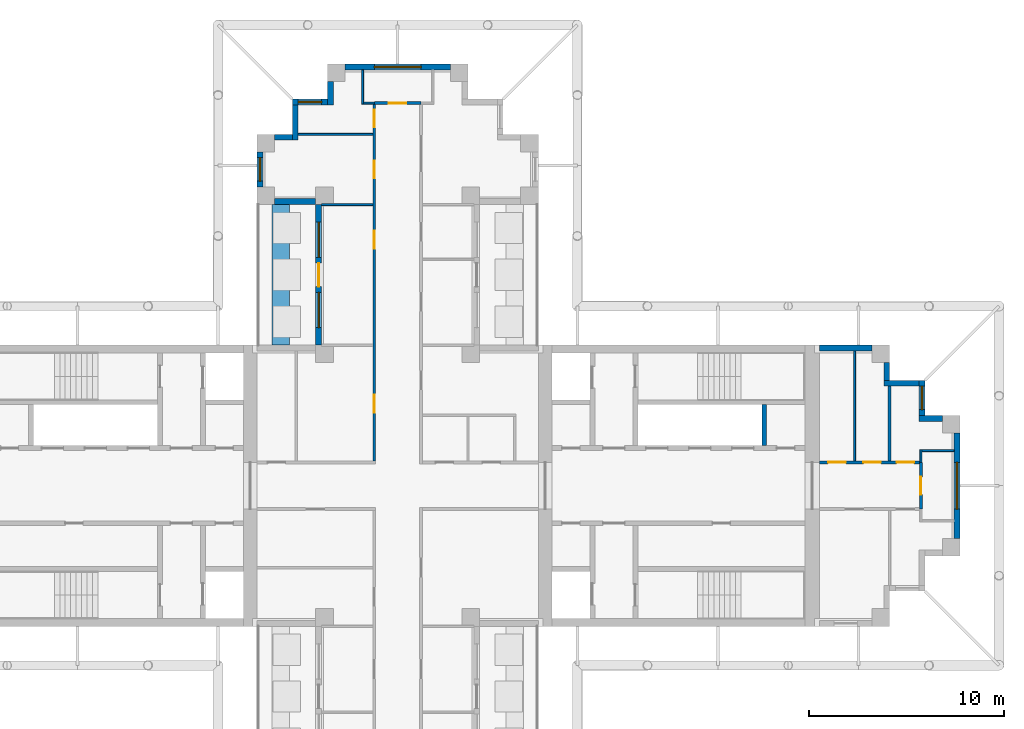
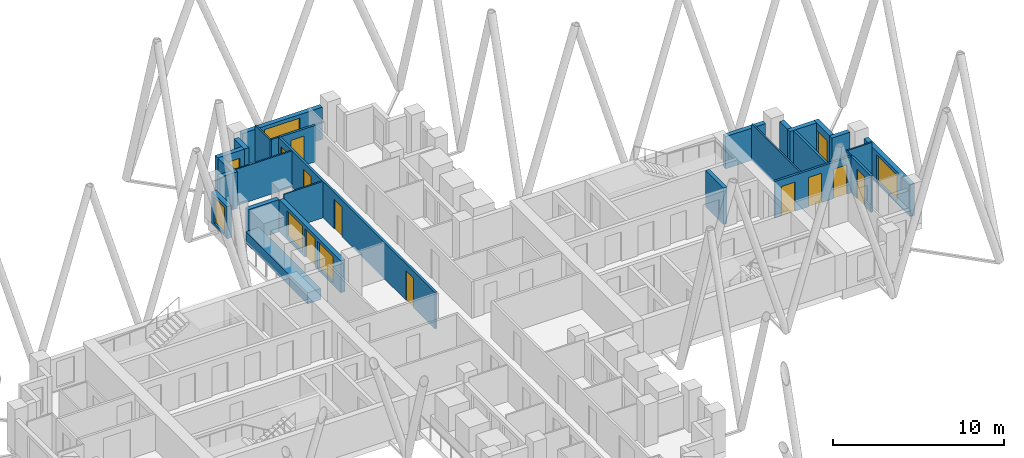
# One storey, part 7 of 11: 28 walls, 10 doors, 7 windows, 17 openings.
"""IFC4 building model written with IfcOpenShell, lengths in metres."""

import ifcopenshell
import ifcopenshell.guid

model = None  # the IFC model being written
_history = None  # IfcOwnerHistory: only IFC2X3 demands one
_inside = {}  # id of a spatial element -> (the spatial element, [elements in it])
_under = {}  # id of a project, library or spatial element -> (it, [spatial elements below it])
_declared = {}  # id of a project -> (the project, [libraries it declares])
_typed = {}  # id of a type object -> (the type object, [elements of that type])
_made_of = {}  # id of a material, layer set ... -> (it, [elements and type objects made of it])


def new_model(schema):
    """Start an empty IFC model of exactly this schema.

    Asked for "IFC4X3", IfcOpenShell would pick the latest addendum, in which some entities
    have other attributes; the version numbers below select the first issue.
    IFC2X3 requires an IfcOwnerHistory on every rooted entity: one is made here for all.
    """
    global model, _history
    if schema == "IFC4X3":
        model = ifcopenshell.file(schema_version=(4, 3, 0, 0))
    else:
        model = ifcopenshell.file(schema=schema)
    _inside.clear()
    _under.clear()
    _declared.clear()
    _typed.clear()
    _made_of.clear()
    _history = None
    if model.schema == "IFC2X3":
        org = make("IfcOrganization", Name="unknown")
        user = make(
            "IfcPersonAndOrganization",
            ThePerson=make("IfcPerson", FamilyName="unknown"),
            TheOrganization=org,
        )
        app = make(
            "IfcApplication",
            ApplicationDeveloper=org,
            Version="unknown",
            ApplicationFullName="unknown",
            ApplicationIdentifier="unknown",
        )
        _history = make(
            "IfcOwnerHistory",
            OwningUser=user,
            OwningApplication=app,
            ChangeAction="ADDED",
            CreationDate=0,
        )
    return model


def make(cls, **values):
    """One entity of the class cls with the attributes given. An attribute that is None is left unset."""
    return model.create_entity(
        cls, **{name: value for name, value in values.items() if value is not None}
    )


def rooted(cls, **values):
    """An entity with a GlobalId (a new one), such as an element, a storey or a relation."""
    return make(cls, GlobalId=ifcopenshell.guid.new(), OwnerHistory=_history, **values)


def si_unit(unit_type, name, prefix=None):
    """IfcSIUnit, for example si_unit("LENGTHUNIT", "METRE", prefix="MILLI")."""
    return make("IfcSIUnit", UnitType=unit_type, Prefix=prefix, Name=name)


def assignment(units):
    """IfcUnitAssignment: the units of a project."""
    return None if units is None else make("IfcUnitAssignment", Units=units)


def point(xyz):
    """IfcCartesianPoint."""
    return None if xyz is None else make("IfcCartesianPoint", Coordinates=xyz)


def direction(xyz):
    """IfcDirection."""
    return None if xyz is None else make("IfcDirection", DirectionRatios=xyz)


def frame(location, z_axis=None, x_axis=None):
    """IfcAxis2Placement3D, a coordinate frame: its origin and axes. An axis left out is left unset."""
    return make(
        "IfcAxis2Placement3D",
        Location=point(location),
        Axis=direction(z_axis),
        RefDirection=direction(x_axis),
    )


def frame_2d(location, x_axis=None):
    """IfcAxis2Placement2D, a coordinate frame in the plane: its origin and x axis."""
    return make(
        "IfcAxis2Placement2D", Location=point(location), RefDirection=direction(x_axis)
    )


def origin():
    """The frame at (0, 0, 0) with its axes left unset."""
    return frame((0.0, 0.0, 0.0))


def place(relative_to, where):
    """IfcLocalPlacement: puts the frame where relative to a parent placement (None: the world)."""
    return make(
        "IfcLocalPlacement", PlacementRelTo=relative_to, RelativePlacement=where
    )


def context(
    kind, dimensions, precision=None, world=None, true_north=None, identifier=None
):
    """IfcGeometricRepresentationContext, for example the 3D "Model" context."""
    return make(
        "IfcGeometricRepresentationContext",
        ContextIdentifier=identifier,
        ContextType=kind,
        CoordinateSpaceDimension=dimensions,
        Precision=precision,
        WorldCoordinateSystem=world,
        TrueNorth=true_north,
    )


def subcontext(parent, identifier, kind, view, scale=None):
    """IfcGeometricRepresentationSubContext, for example "Body" below "Model"."""
    return make(
        "IfcGeometricRepresentationSubContext",
        ContextIdentifier=identifier,
        ContextType=kind,
        ParentContext=parent,
        TargetScale=scale,
        TargetView=view,
    )


def project(units=None, contexts=None):
    """IfcProject with its units and contexts."""
    return rooted(
        "IfcProject",
        Name="project",
        RepresentationContexts=contexts,
        UnitsInContext=assignment(units),
    )


def spatial(cls, under=None, at=None, **own):
    """A site, building, storey or space (cls), placed at a placement, below another one or the project."""
    s = rooted(cls, ObjectPlacement=at, **own)
    if under is not None:
        _under.setdefault(under.id(), (under, []))[1].append(s)
    return s


def profile(cls, at=None, kind="AREA", **sizes):
    """A parametric profile (cls). Its sizes go by their IFC names, for example OverallWidth=200.0."""
    return make(cls, ProfileType=kind, Position=at, **sizes)


def rectangle(**sizes):
    """IfcRectangleProfileDef."""
    return profile("IfcRectangleProfileDef", **sizes)


def extrude(swept, where, along, depth):
    """IfcExtrudedAreaSolid: the profile swept, set in the frame where, extruded along a direction by depth."""
    return make(
        "IfcExtrudedAreaSolid",
        SweptArea=swept,
        Position=where,
        ExtrudedDirection=direction(along),
        Depth=depth,
    )


def shape(context_of_items, identifier, shape_type, items):
    """IfcShapeRepresentation: the items that make up one representation, for example the "Body"."""
    return make(
        "IfcShapeRepresentation",
        ContextOfItems=context_of_items,
        RepresentationIdentifier=identifier,
        RepresentationType=shape_type,
        Items=items,
    )


def material(Name=None, Category=None):
    """IfcMaterial."""
    return make("IfcMaterial", Name=Name, Category=Category)


def layer(
    of_material, thickness, ventilated=None, Name=None, Category=None, Priority=None
):
    """IfcMaterialLayer: one layer of a wall or slab, of a material (None: an air gap)."""
    return make(
        "IfcMaterialLayer",
        Material=of_material,
        LayerThickness=thickness,
        IsVentilated=ventilated,
        Name=Name,
        Category=Category,
        Priority=Priority,
    )


def layer_set(layers, Name=None):
    """IfcMaterialLayerSet."""
    return make("IfcMaterialLayerSet", MaterialLayers=layers, LayerSetName=Name)


def made_of(thing, what):
    """Note that an element or type object is made of a material, layer set ...; save() writes the relation."""
    if what is not None:
        _made_of.setdefault(what.id(), (what, []))[1].append(thing)
    return thing


def type_object(cls, material=None, **own):
    """A type object (cls), such as IfcWallType, which elements share."""
    return made_of(rooted(cls, **own), material)


def element(
    cls,
    number,
    at=None,
    inside=None,
    cuts=None,
    type_object=None,
    material=None,
    context=None,
    identifier="Body",
    shape_type=None,
    held_by="IfcProductDefinitionShape",
    body=None,
    shapes=None,
    **own,
):
    """One element of the class cls, such as IfcWall. Its Tag is "e" and its number.

    at: its placement. inside: the storey or other place that contains it. cuts: it is an
    opening in that element (IfcRelVoidsElement). A single representation is given by context,
    identifier, shape_type and body (its items); several are given by shapes. held_by: the class
    of the entity that holds the representations. save() writes the other relations.
    """
    e = rooted(cls, Tag="e%d" % number, ObjectPlacement=at, **own)
    if body is not None:
        shapes = [shape(context, identifier, shape_type, body)]
    if shapes is not None:
        e.Representation = make(held_by, Representations=shapes)
    if inside is not None:
        _inside.setdefault(inside.id(), (inside, []))[1].append(e)
    if cuts is not None:
        rooted(
            "IfcRelVoidsElement", RelatingBuildingElement=cuts, RelatedOpeningElement=e
        )
    if type_object is not None:
        _typed.setdefault(type_object.id(), (type_object, []))[1].append(e)
    return made_of(e, material)


def fill(opening, filler):
    """IfcRelFillsElement: the door or window that sits in an opening."""
    return rooted(
        "IfcRelFillsElement",
        RelatingOpeningElement=opening,
        RelatedBuildingElement=filler,
    )


def aggregate(whole, parts):
    """IfcRelAggregates: a whole, such as a stair, and the parts it consists of."""
    return rooted("IfcRelAggregates", RelatingObject=whole, RelatedObjects=parts)


def save(model, path):
    """Write the relations noted so far, then the file.

    IfcRelAggregates (storeys below a building ...), IfcRelContainedInSpatialStructure (elements
    in a storey), IfcRelDefinesByType, IfcRelAssociatesMaterial and IfcRelDeclares: one each for
    every whole, place, type object, material and project.
    """
    for whole, parts in _under.values():
        aggregate(whole, parts)
    for where, things in _inside.values():
        rooted(
            "IfcRelContainedInSpatialStructure",
            RelatedElements=things,
            RelatingStructure=where,
        )
    for kind, things in _typed.values():
        rooted("IfcRelDefinesByType", RelatedObjects=things, RelatingType=kind)
    for what, things in _made_of.values():
        rooted("IfcRelAssociatesMaterial", RelatedObjects=things, RelatingMaterial=what)
    for by, libraries in _declared.values():
        rooted("IfcRelDeclares", RelatingContext=by, RelatedDefinitions=libraries)
    model.write(path)


model = new_model("IFC4")

# Units and contexts
model_context = context("Model", 3, precision=1e-05, world=origin(), true_north=direction((0.0, 1.0)))
body_context = subcontext(model_context, "Body", "Model", "MODEL_VIEW")
ifc_project = project(units=[si_unit("LENGTHUNIT", "METRE"), si_unit("AREAUNIT", "SQUARE_METRE"), si_unit("VOLUMEUNIT", "CUBIC_METRE"), si_unit("PLANEANGLEUNIT", "RADIAN"), si_unit("MASSUNIT", "GRAM", prefix="KILO")], contexts=[model_context])

# Site, building, storey
site_placement = place(None, origin())
site = spatial("IfcSite", under=ifc_project, at=site_placement, CompositionType="ELEMENT")
building_placement = place(site_placement, origin())
building = spatial("IfcBuilding", under=site, at=building_placement, Name="Fustian Cross Tower", CompositionType="ELEMENT")
storey_placement = place(building_placement, frame((0.0, 0.0, 222.89990234375)))
storey = spatial("IfcBuildingStorey", under=building, at=storey_placement, Name="L70", CompositionType="ELEMENT", Elevation=222.89990234375)

# Wall, openings, doors
ifc_material_1 = material(Name="Plasterboard on steel stud", Category="steel")
ifc_layer_1 = layer(ifc_material_1, 0.14990234375)
ifc_layer_set_1 = layer_set([ifc_layer_1], Name="Plasterboard on steel stud")
wall_type_1 = type_object("IfcWallType", Name="COMPARTMENT WALL 150 EI 60", PredefinedType="PARTITIONING", material=ifc_layer_set_1)
wall_1_placement = place(storey_placement, frame((-1.199951171875, 1.27490234375, 0.0), z_axis=(0.0, 0.0, 1.0), x_axis=(0.0, 1.0, 0.0)))
wall_1 = element("IfcWall", 1, at=wall_1_placement, inside=storey, type_object=wall_type_1, Name="Partition 31", PredefinedType="PARTITIONING", context=body_context, shape_type="SweptSolid", body=[
    extrude(rectangle(XDim=18.25, YDim=0.14990234375, at=frame_2d((9.125, 0.0))), origin(), (0.0, 0.0, 1.0), 2.60009765625),
])
opening_1_placement = place(wall_1_placement, frame((2.47509765625, 0.0, 0.0)))
opening_1 = element("IfcOpeningElement", 2, at=opening_1_placement, cuts=wall_1, Name="Opening D31004", PredefinedType="OPENING", context=body_context, shape_type="SweptSolid", body=[
    extrude(rectangle(XDim=0.89990234375, YDim=2.10009765625, at=frame_2d((0.449951171875, 1.050048828125))), frame((0.0, 0.0849609375, 0.0), z_axis=(0.0, -1.0, 0.0), x_axis=(1.0, 0.0, 0.0)), (0.0, 0.0, 1.0), 0.169921875),
])
opening_2_placement = place(wall_1_placement, frame((10.875, 0.0, 0.0)))
opening_2 = element("IfcOpeningElement", 3, at=opening_2_placement, cuts=wall_1, Name="Opening D31016", PredefinedType="OPENING", context=body_context, shape_type="SweptSolid", body=[
    extrude(rectangle(XDim=0.89990234375, YDim=2.10009765625, at=frame_2d((0.449951171875, 1.050048828125))), frame((0.0, 0.0849609375, 0.0), z_axis=(0.0, -1.0, 0.0), x_axis=(1.0, 0.0, 0.0)), (0.0, 0.0, 1.0), 0.169921875),
])
opening_3_placement = place(wall_1_placement, frame((14.47509765625, 0.0, 0.0)))
opening_3 = element("IfcOpeningElement", 4, at=opening_3_placement, cuts=wall_1, Name="Opening D31017", PredefinedType="OPENING", context=body_context, shape_type="SweptSolid", body=[
    extrude(rectangle(XDim=0.89990234375, YDim=2.10009765625, at=frame_2d((0.449951171875, 1.050048828125))), frame((0.0, 0.0849609375, 0.0), z_axis=(0.0, -1.0, 0.0), x_axis=(1.0, 0.0, 0.0)), (0.0, 0.0, 1.0), 0.169921875),
])
opening_4_placement = place(wall_1_placement, frame((17.074951171875, 0.0, 0.0)))
opening_4 = element("IfcOpeningElement", 5, at=opening_4_placement, cuts=wall_1, Name="Opening D31018", PredefinedType="OPENING", context=body_context, shape_type="SweptSolid", body=[
    extrude(rectangle(XDim=0.89990234375, YDim=2.10009765625, at=frame_2d((0.449951171875, 1.050048828125))), frame((0.0, 0.0849609375, 0.0), z_axis=(0.0, -1.0, 0.0), x_axis=(1.0, 0.0, 0.0)), (0.0, 0.0, 1.0), 0.169921875),
])
ifc_material_2 = material(Name="Timber fire door set", Category="wood")
door_type_1 = type_object("IfcDoorType", Name="FIRE SWING DOOR 900 FD30S", OperationType="SINGLE_SWING_LEFT", PredefinedType="DOOR", material=ifc_material_2)
door_1_placement = place(opening_1_placement, origin())
door_1 = element("IfcDoor", 6, at=door_1_placement, inside=storey, type_object=door_type_1, Name="Door D31004", OperationType="SINGLE_SWING_LEFT", OverallHeight=2.10009765625, OverallWidth=0.89990234375, PredefinedType="DOOR", context=body_context, shape_type="SweptSolid", body=[
    extrude(rectangle(XDim=0.89990234375, YDim=2.10009765625, at=frame_2d((0.449951171875, 1.050048828125))), frame((0.0, 0.02490234375, 0.0), z_axis=(0.0, -1.0, 0.0), x_axis=(1.0, 0.0, 0.0)), (0.0, 0.0, 1.0), 0.050048828125),
])
fill(opening_1, door_1)
door_2_placement = place(opening_2_placement, origin())
door_2 = element("IfcDoor", 7, at=door_2_placement, inside=storey, type_object=door_type_1, Name="Door D31016", OperationType="SINGLE_SWING_RIGHT", OverallHeight=2.10009765625, OverallWidth=0.89990234375, PredefinedType="DOOR", context=body_context, shape_type="SweptSolid", body=[
    extrude(rectangle(XDim=0.89990234375, YDim=2.10009765625, at=frame_2d((0.449951171875, 1.050048828125))), frame((0.0, 0.02490234375, 0.0), z_axis=(0.0, -1.0, 0.0), x_axis=(1.0, 0.0, 0.0)), (0.0, 0.0, 1.0), 0.050048828125),
])
fill(opening_2, door_2)
door_3_placement = place(opening_3_placement, origin())
door_3 = element("IfcDoor", 8, at=door_3_placement, inside=storey, type_object=door_type_1, Name="Door D31017", OperationType="SINGLE_SWING_LEFT", OverallHeight=2.10009765625, OverallWidth=0.89990234375, PredefinedType="DOOR", context=body_context, shape_type="SweptSolid", body=[
    extrude(rectangle(XDim=0.89990234375, YDim=2.10009765625, at=frame_2d((0.449951171875, 1.050048828125))), frame((0.0, 0.02490234375, 0.0), z_axis=(0.0, -1.0, 0.0), x_axis=(1.0, 0.0, 0.0)), (0.0, 0.0, 1.0), 0.050048828125),
])
fill(opening_3, door_3)
door_4_placement = place(opening_4_placement, origin())
door_4 = element("IfcDoor", 9, at=door_4_placement, inside=storey, type_object=door_type_1, Name="Door D31018", OperationType="SINGLE_SWING_LEFT", OverallHeight=2.10009765625, OverallWidth=0.89990234375, PredefinedType="DOOR", context=body_context, shape_type="SweptSolid", body=[
    extrude(rectangle(XDim=0.89990234375, YDim=2.10009765625, at=frame_2d((0.449951171875, 1.050048828125))), frame((0.0, 0.02490234375, 0.0), z_axis=(0.0, -1.0, 0.0), x_axis=(1.0, 0.0, 0.0)), (0.0, 0.0, 1.0), 0.050048828125),
])
fill(opening_4, door_4)

# Wall, opening, door
wall_2_placement = place(storey_placement, frame((-1.199951171875, 19.60009765625, 0.0), z_axis=(0.0, 0.0, 1.0), x_axis=(1.0, 0.0, 0.0)))
wall_2 = element("IfcWall", 10, at=wall_2_placement, inside=storey, type_object=wall_type_1, Name="Partition 32", PredefinedType="PARTITIONING", context=body_context, shape_type="SweptSolid", body=[
    extrude(rectangle(XDim=2.39990234375, YDim=0.14990234375, at=frame_2d((1.199951171875, 0.0))), origin(), (0.0, 0.0, 1.0), 2.60009765625),
])
opening_5_placement = place(wall_2_placement, frame((0.75, 0.0, 0.0)))
opening_5 = element("IfcOpeningElement", 11, at=opening_5_placement, cuts=wall_2, Name="Opening D31015", PredefinedType="OPENING", context=body_context, shape_type="SweptSolid", body=[
    extrude(rectangle(XDim=0.89990234375, YDim=2.10009765625, at=frame_2d((0.449951171875, 1.050048828125))), frame((0.0, 0.0849609375, 0.0), z_axis=(0.0, -1.0, 0.0), x_axis=(1.0, 0.0, 0.0)), (0.0, 0.0, 1.0), 0.169921875),
])
door_5_placement = place(opening_5_placement, origin())
door_5 = element("IfcDoor", 12, at=door_5_placement, inside=storey, type_object=door_type_1, Name="Door D31015", OperationType="SINGLE_SWING_LEFT", OverallHeight=2.10009765625, OverallWidth=0.89990234375, PredefinedType="DOOR", context=body_context, shape_type="SweptSolid", body=[
    extrude(rectangle(XDim=0.89990234375, YDim=2.10009765625, at=frame_2d((0.449951171875, 1.050048828125))), frame((0.0, 0.02490234375, 0.0), z_axis=(0.0, -1.0, 0.0), x_axis=(1.0, 0.0, 0.0)), (0.0, 0.0, 1.0), 0.050048828125),
])
fill(opening_5, door_5)

# Wall, openings, doors
wall_3_placement = place(storey_placement, frame((21.60009765625, 1.199951171875, 0.0), z_axis=(0.0, 0.0, 1.0), x_axis=(1.0, 0.0, 0.0)))
wall_3 = element("IfcWall", 13, at=wall_3_placement, inside=storey, type_object=wall_type_1, Name="Partition 51", PredefinedType="PARTITIONING", context=body_context, shape_type="SweptSolid", body=[
    extrude(rectangle(XDim=5.125, YDim=0.14990234375, at=frame_2d((2.5625, 0.0))), origin(), (0.0, 0.0, 1.0), 2.60009765625),
])
opening_6_placement = place(wall_3_placement, frame((0.449951171875, 0.0, 0.0)))
opening_6 = element("IfcOpeningElement", 14, at=opening_6_placement, cuts=wall_3, Name="Opening D31010", PredefinedType="OPENING", context=body_context, shape_type="SweptSolid", body=[
    extrude(rectangle(XDim=0.89990234375, YDim=2.10009765625, at=frame_2d((0.449951171875, 1.050048828125))), frame((0.0, 0.0849609375, 0.0), z_axis=(0.0, -1.0, 0.0), x_axis=(1.0, 0.0, 0.0)), (0.0, 0.0, 1.0), 0.169921875),
])
opening_7_placement = place(wall_3_placement, frame((2.25, 0.0, 0.0)))
opening_7 = element("IfcOpeningElement", 15, at=opening_7_placement, cuts=wall_3, Name="Opening D31011", PredefinedType="OPENING", context=body_context, shape_type="SweptSolid", body=[
    extrude(rectangle(XDim=0.89990234375, YDim=2.10009765625, at=frame_2d((0.449951171875, 1.050048828125))), frame((0.0, 0.0849609375, 0.0), z_axis=(0.0, -1.0, 0.0), x_axis=(1.0, 0.0, 0.0)), (0.0, 0.0, 1.0), 0.169921875),
])
opening_8_placement = place(wall_3_placement, frame((3.949951171875, 0.0, 0.0)))
opening_8 = element("IfcOpeningElement", 16, at=opening_8_placement, cuts=wall_3, Name="Opening D31012", PredefinedType="OPENING", context=body_context, shape_type="SweptSolid", body=[
    extrude(rectangle(XDim=0.89990234375, YDim=2.10009765625, at=frame_2d((0.449951171875, 1.050048828125))), frame((0.0, 0.0849609375, 0.0), z_axis=(0.0, -1.0, 0.0), x_axis=(1.0, 0.0, 0.0)), (0.0, 0.0, 1.0), 0.169921875),
])
door_6_placement = place(opening_6_placement, origin())
door_6 = element("IfcDoor", 17, at=door_6_placement, inside=storey, type_object=door_type_1, Name="Door D31010", OperationType="SINGLE_SWING_RIGHT", OverallHeight=2.10009765625, OverallWidth=0.89990234375, PredefinedType="DOOR", context=body_context, shape_type="SweptSolid", body=[
    extrude(rectangle(XDim=0.89990234375, YDim=2.10009765625, at=frame_2d((0.449951171875, 1.050048828125))), frame((0.0, 0.02490234375, 0.0), z_axis=(0.0, -1.0, 0.0), x_axis=(1.0, 0.0, 0.0)), (0.0, 0.0, 1.0), 0.050048828125),
])
fill(opening_6, door_6)
door_7_placement = place(opening_7_placement, origin())
door_7 = element("IfcDoor", 18, at=door_7_placement, inside=storey, type_object=door_type_1, Name="Door D31011", OperationType="SINGLE_SWING_RIGHT", OverallHeight=2.10009765625, OverallWidth=0.89990234375, PredefinedType="DOOR", context=body_context, shape_type="SweptSolid", body=[
    extrude(rectangle(XDim=0.89990234375, YDim=2.10009765625, at=frame_2d((0.449951171875, 1.050048828125))), frame((0.0, 0.02490234375, 0.0), z_axis=(0.0, -1.0, 0.0), x_axis=(1.0, 0.0, 0.0)), (0.0, 0.0, 1.0), 0.050048828125),
])
fill(opening_7, door_7)
door_8_placement = place(opening_8_placement, origin())
door_8 = element("IfcDoor", 19, at=door_8_placement, inside=storey, type_object=door_type_1, Name="Door D31012", OperationType="SINGLE_SWING_LEFT", OverallHeight=2.10009765625, OverallWidth=0.89990234375, PredefinedType="DOOR", context=body_context, shape_type="SweptSolid", body=[
    extrude(rectangle(XDim=0.89990234375, YDim=2.10009765625, at=frame_2d((0.449951171875, 1.050048828125))), frame((0.0, 0.02490234375, 0.0), z_axis=(0.0, -1.0, 0.0), x_axis=(1.0, 0.0, 0.0)), (0.0, 0.0, 1.0), 0.050048828125),
])
fill(opening_8, door_8)

# Wall
wall_4_placement = place(storey_placement, frame((25.199951171875, 1.27490234375, 0.0), z_axis=(0.0, 0.0, 1.0), x_axis=(0.0, 1.0, 0.0)))
element("IfcWall", 20, at=wall_4_placement, inside=storey, type_object=wall_type_1, Name="Partition 54", PredefinedType="PARTITIONING", context=body_context, shape_type="SweptSolid", body=[
    extrude(rectangle(XDim=3.8251953125, YDim=0.14990234375, at=frame_2d((1.91259765625, 0.0))), origin(), (0.0, 0.0, 1.0), 2.60009765625),
])

# Wall, opening, door
wall_5_placement = place(storey_placement, frame((26.800048828125, -1.199951171875, 0.0), z_axis=(0.0, 0.0, 1.0), x_axis=(0.0, 1.0, 0.0)))
wall_5 = element("IfcWall", 21, at=wall_5_placement, inside=storey, type_object=wall_type_1, Name="Partition 57", PredefinedType="PARTITIONING", context=body_context, shape_type="SweptSolid", body=[
    extrude(rectangle(XDim=2.39990234375, YDim=0.14990234375, at=frame_2d((1.199951171875, 0.0))), origin(), (0.0, 0.0, 1.0), 2.60009765625),
])
opening_9_placement = place(wall_5_placement, frame((0.75, 0.0, 0.0)))
opening_9 = element("IfcOpeningElement", 22, at=opening_9_placement, cuts=wall_5, Name="Opening D31009", PredefinedType="OPENING", context=body_context, shape_type="SweptSolid", body=[
    extrude(rectangle(XDim=0.89990234375, YDim=2.10009765625, at=frame_2d((0.449951171875, 1.050048828125))), frame((0.0, 0.0849609375, 0.0), z_axis=(0.0, -1.0, 0.0), x_axis=(1.0, 0.0, 0.0)), (0.0, 0.0, 1.0), 0.169921875),
])
door_9_placement = place(opening_9_placement, frame((0.89990234375, 0.0, 0.0), z_axis=(0.0, 0.0, 1.0), x_axis=(-1.0, 0.0, 0.0)))
door_9 = element("IfcDoor", 23, at=door_9_placement, inside=storey, type_object=door_type_1, Name="Door D31009", OperationType="SINGLE_SWING_RIGHT", OverallHeight=2.10009765625, OverallWidth=0.89990234375, PredefinedType="DOOR", context=body_context, shape_type="SweptSolid", body=[
    extrude(rectangle(XDim=0.89990234375, YDim=2.10009765625, at=frame_2d((0.449951171875, 1.050048828125))), frame((0.0, 0.02490234375, 0.0), z_axis=(0.0, -1.0, 0.0), x_axis=(1.0, 0.0, 0.0)), (0.0, 0.0, 1.0), 0.050048828125),
])
fill(opening_9, door_9)

# Walls
ifc_material_3 = material(Name="Plasterboard on steel stud", Category="steel")
ifc_layer_2 = layer(ifc_material_3, 0.10009765625)
ifc_layer_set_2 = layer_set([ifc_layer_2], Name="Plasterboard on steel stud")
wall_type_2 = type_object("IfcWallType", Name="PARTITION 100 STUD", PredefinedType="PARTITIONING", material=ifc_layer_set_2)
wall_6_placement = place(storey_placement, frame((-5.10009765625, 18.0, 0.0), z_axis=(0.0, 0.0, 1.0), x_axis=(1.0, 0.0, 0.0)))
element("IfcWall", 24, at=wall_6_placement, inside=storey, type_object=wall_type_2, Name="Partition 16", PredefinedType="PARTITIONING", context=body_context, shape_type="SweptSolid", body=[
    extrude(rectangle(XDim=3.8251953125, YDim=0.10009765625, at=frame_2d((1.91259765625, 0.0))), origin(), (0.0, 0.0, 1.0), 2.60009765625),
])
wall_7_placement = place(storey_placement, frame((-3.89990234375, 14.39990234375, 0.0), z_axis=(0.0, 0.0, 1.0), x_axis=(1.0, 0.0, 0.0)))
element("IfcWall", 25, at=wall_7_placement, inside=storey, type_object=wall_type_2, Name="Partition 21", PredefinedType="PARTITIONING", context=body_context, shape_type="SweptSolid", body=[
    extrude(rectangle(XDim=2.625, YDim=0.10009765625, at=frame_2d((1.3125, 0.0))), origin(), (0.0, 0.0, 1.0), 2.60009765625),
])
wall_8_placement = place(storey_placement, frame((-1.800048828125, 19.550048828125, 0.0), z_axis=(0.0, 0.0, 1.0), x_axis=(0.0, 1.0, 0.0)))
element("IfcWall", 26, at=wall_8_placement, inside=storey, type_object=wall_type_2, Name="Partition 27", PredefinedType="PARTITIONING", context=body_context, shape_type="SweptSolid", body=[
    extrude(rectangle(XDim=1.75, YDim=0.10009765625, at=frame_2d((0.875, 0.0))), origin(), (0.0, 0.0, 1.0), 2.60009765625),
])
wall_9_placement = place(storey_placement, frame((-1.75, 19.60009765625, 0.0), z_axis=(0.0, 0.0, 1.0), x_axis=(1.0, 0.0, 0.0)))
element("IfcWall", 27, at=wall_9_placement, inside=storey, type_object=wall_type_2, Name="Partition 28", PredefinedType="PARTITIONING", context=body_context, shape_type="SweptSolid", body=[
    extrude(rectangle(XDim=0.550048828125, YDim=0.10009765625, at=frame_2d((0.27490234375, 0.0))), origin(), (0.0, 0.0, 1.0), 2.60009765625),
])
wall_10_placement = place(storey_placement, frame((23.39990234375, 1.27490234375, 0.0), z_axis=(0.0, 0.0, 1.0), x_axis=(0.0, 1.0, 0.0)))
element("IfcWall", 28, at=wall_10_placement, inside=storey, type_object=wall_type_2, Name="Partition 52", PredefinedType="PARTITIONING", context=body_context, shape_type="SweptSolid", body=[
    extrude(rectangle(XDim=5.625, YDim=0.10009765625, at=frame_2d((2.8125, 0.0))), origin(), (0.0, 0.0, 1.0), 2.60009765625),
])
wall_11_placement = place(storey_placement, frame((26.800048828125, 1.199951171875, 0.0), z_axis=(0.0, 0.0, 1.0), x_axis=(0.0, 1.0, 0.0)))
element("IfcWall", 29, at=wall_11_placement, inside=storey, type_object=wall_type_2, Name="Partition 58", PredefinedType="PARTITIONING", context=body_context, shape_type="SweptSolid", body=[
    extrude(rectangle(XDim=0.650146484375, YDim=0.10009765625, at=frame_2d((0.3251953125, 0.0))), origin(), (0.0, 0.0, 1.0), 2.60009765625),
])
wall_12_placement = place(storey_placement, frame((26.85009765625, 1.800048828125, 0.0), z_axis=(0.0, 0.0, 1.0), x_axis=(1.0, 0.0, 0.0)))
element("IfcWall", 30, at=wall_12_placement, inside=storey, type_object=wall_type_2, Name="Partition 59", PredefinedType="PARTITIONING", context=body_context, shape_type="SweptSolid", body=[
    extrude(rectangle(XDim=1.64990234375, YDim=0.10009765625, at=frame_2d((0.824951171875, 0.0))), origin(), (0.0, 0.0, 1.0), 2.60009765625),
])
ifc_material_4 = material(Name="Concrete C40/50", Category="concrete")
ifc_layer_3 = layer(ifc_material_4, 0.89990234375)
ifc_layer_set_3 = layer_set([ifc_layer_3], Name="Concrete C40/50")
wall_type_3 = type_object("IfcWallType", Name="PK1 PLANTER 900", PredefinedType="PARAPET", material=ifc_layer_set_3)
wall_13_placement = place(storey_placement, frame((-6.0, 7.199951171875, 0.0), z_axis=(0.0, 0.0, 1.0), x_axis=(0.0, 1.0, 0.0)))
element("IfcWall", 31, at=wall_13_placement, inside=storey, type_object=wall_type_3, Name="PLANTER", PredefinedType="PARAPET", context=body_context, shape_type="SweptSolid", body=[
    extrude(rectangle(XDim=7.199951171875, YDim=0.89990234375, at=frame_2d((3.60009765625, 0.0))), origin(), (0.0, 0.0, 1.0), 0.800048828125),
])
ifc_material_5 = material(Name="Concrete C40/50", Category="concrete")
ifc_layer_4 = layer(ifc_material_5, 0.25)
ifc_layer_set_4 = layer_set([ifc_layer_4], Name="Concrete C40/50")
wall_type_4 = type_object("IfcWallType", Name="SHAFT PARTITION WALL 250 C40/50", PredefinedType="PARTITIONING", material=ifc_layer_set_4)
wall_14_placement = place(storey_placement, frame((18.77490234375, 2.050048828125, 0.0), z_axis=(0.0, 0.0, 1.0), x_axis=(0.0, 1.0, 0.0)))
element("IfcWall", 32, at=wall_14_placement, inside=storey, type_object=wall_type_4, Name="Core shaft wall", PredefinedType="PARTITIONING", context=body_context, shape_type="SweptSolid", body=[
    extrude(rectangle(XDim=2.099853515625, YDim=0.25, at=frame_2d((1.0498046875, 0.0))), origin(), (0.0, 0.0, 1.0), 2.60009765625),
])

# Wall, opening, window
ifc_material_6 = material(Name="Dark aluminium cladding on insulated backing wall", Category="aluminium")
ifc_layer_5 = layer(ifc_material_6, 0.300048828125)
ifc_layer_set_5 = layer_set([ifc_layer_5], Name="Dark aluminium cladding on insulated backing wall")
wall_type_5 = type_object("IfcWallType", Name="XW1 EXTERNAL WALL 300", PredefinedType="SOLIDWALL", material=ifc_layer_set_5)
wall_15_placement = place(storey_placement, frame((28.64990234375, -2.699951171875, 0.0), z_axis=(0.0, 0.0, 1.0), x_axis=(0.0, 1.0, 0.0)))
wall_15 = element("IfcWall", 33, at=wall_15_placement, inside=storey, type_object=wall_type_5, Name="External wall", PredefinedType="SOLIDWALL", context=body_context, shape_type="SweptSolid", body=[
    extrude(rectangle(XDim=5.39990234375, YDim=0.300048828125, at=frame_2d((2.699951171875, 0.0))), origin(), (0.0, 0.0, 1.0), 2.300048828125),
])
opening_10_placement = place(wall_15_placement, frame((1.5, 0.0, 0.199951171875)))
opening_10 = element("IfcOpeningElement", 34, at=opening_10_placement, cuts=wall_15, Name="Opening WN1", PredefinedType="OPENING", context=body_context, shape_type="SweptSolid", body=[
    extrude(rectangle(XDim=2.39990234375, YDim=1.85009765625, at=frame_2d((1.199951171875, 0.925048828125))), frame((0.0, 0.159912109375, 0.0), z_axis=(0.0, -1.0, 0.0), x_axis=(1.0, 0.0, 0.0)), (0.0, 0.0, 1.0), 0.320068359375),
])
ifc_material_7 = material(Name="Dark anodised aluminium and double glazing", Category="aluminium")
window_type_1 = type_object("IfcWindowType", Name="WN1 WINDOW 2400X1850", PartitioningType="SINGLE_PANEL", PredefinedType="WINDOW", material=ifc_material_7)
window_1_placement = place(opening_10_placement, origin())
window_1 = element("IfcWindow", 35, at=window_1_placement, inside=storey, type_object=window_type_1, Name="Window", OverallHeight=1.85009765625, OverallWidth=2.39990234375, PartitioningType="SINGLE_PANEL", PredefinedType="WINDOW", context=body_context, shape_type="SweptSolid", body=[
    extrude(rectangle(XDim=2.39990234375, YDim=1.85009765625, at=frame_2d((1.199951171875, 0.925048828125))), frame((0.0, 0.030029296875, 0.0), z_axis=(0.0, -1.0, 0.0), x_axis=(1.0, 0.0, 0.0)), (0.0, 0.0, 1.0), 0.06005859375),
])
fill(opening_10, window_1)

# Wall
wall_16_placement = place(storey_placement, frame((27.89990234375, 3.449951171875, 0.0), z_axis=(0.0, 0.0, 1.0), x_axis=(-1.0, 0.0, 0.0)))
element("IfcWall", 36, at=wall_16_placement, inside=storey, type_object=wall_type_5, Name="External wall", PredefinedType="SOLIDWALL", context=body_context, shape_type="SweptSolid", body=[
    extrude(rectangle(XDim=1.199951171875, YDim=0.300048828125, at=frame_2d((0.60009765625, 0.0))), origin(), (0.0, 0.0, 1.0), 2.60009765625),
])

# Wall, opening, window
wall_17_placement = place(storey_placement, frame((26.85009765625, 3.60009765625, 0.0), z_axis=(0.0, 0.0, 1.0), x_axis=(0.0, 1.0, 0.0)))
wall_17 = element("IfcWall", 37, at=wall_17_placement, inside=storey, type_object=wall_type_5, Name="External wall", PredefinedType="SOLIDWALL", context=body_context, shape_type="SweptSolid", body=[
    extrude(rectangle(XDim=1.7998046875, YDim=0.300048828125, at=frame_2d((0.89990234375, 0.0))), origin(), (0.0, 0.0, 1.0), 2.60009765625),
])
opening_11_placement = place(wall_17_placement, frame((0.300048828125, 0.0, 0.199951171875)))
opening_11 = element("IfcOpeningElement", 38, at=opening_11_placement, cuts=wall_17, Name="Opening WN3", PredefinedType="OPENING", context=body_context, shape_type="SweptSolid", body=[
    extrude(rectangle(XDim=1.199951171875, YDim=1.85009765625, at=frame_2d((0.60009765625, 0.925048828125))), frame((0.0, 0.159912109375, 0.0), z_axis=(0.0, -1.0, 0.0), x_axis=(1.0, 0.0, 0.0)), (0.0, 0.0, 1.0), 0.320068359375),
])
ifc_material_8 = material(Name="Dark anodised aluminium and double glazing", Category="aluminium")
window_type_2 = type_object("IfcWindowType", Name="WN3 WINDOW 1200X1850", PartitioningType="SINGLE_PANEL", PredefinedType="WINDOW", material=ifc_material_8)
window_2_placement = place(opening_11_placement, origin())
window_2 = element("IfcWindow", 39, at=window_2_placement, inside=storey, type_object=window_type_2, Name="Window", OverallHeight=1.85009765625, OverallWidth=1.199951171875, PartitioningType="SINGLE_PANEL", PredefinedType="WINDOW", context=body_context, shape_type="SweptSolid", body=[
    extrude(rectangle(XDim=1.199951171875, YDim=1.85009765625, at=frame_2d((0.60009765625, 0.925048828125))), frame((0.0, 0.030029296875, 0.0), z_axis=(0.0, -1.0, 0.0), x_axis=(1.0, 0.0, 0.0)), (0.0, 0.0, 1.0), 0.06005859375),
])
fill(opening_11, window_2)

# Walls
wall_18_placement = place(storey_placement, frame((26.699951171875, 5.25, 0.0), z_axis=(0.0, 0.0, 1.0), x_axis=(-1.0, 0.0, 0.0)))
element("IfcWall", 40, at=wall_18_placement, inside=storey, type_object=wall_type_5, Name="External wall", PredefinedType="SOLIDWALL", context=body_context, shape_type="SweptSolid", body=[
    extrude(rectangle(XDim=1.800048828125, YDim=0.300048828125, at=frame_2d((0.89990234375, 0.0))), origin(), (0.0, 0.0, 1.0), 2.60009765625),
])
wall_19_placement = place(storey_placement, frame((25.050048828125, 5.39990234375, 0.0), z_axis=(0.0, 0.0, 1.0), x_axis=(0.0, 1.0, 0.0)))
element("IfcWall", 41, at=wall_19_placement, inside=storey, type_object=wall_type_5, Name="External wall", PredefinedType="SOLIDWALL", context=body_context, shape_type="SweptSolid", body=[
    extrude(rectangle(XDim=0.900146484375, YDim=0.300048828125, at=frame_2d((0.4501953125, 0.0))), origin(), (0.0, 0.0, 1.0), 2.60009765625),
])
wall_20_placement = place(storey_placement, frame((24.300048828125, 7.050048828125, 0.0), z_axis=(0.0, 0.0, 1.0), x_axis=(-1.0, 0.0, 0.0)))
element("IfcWall", 42, at=wall_20_placement, inside=storey, type_object=wall_type_5, Name="External wall", PredefinedType="SOLIDWALL", context=body_context, shape_type="SweptSolid", body=[
    extrude(rectangle(XDim=2.699951171875, YDim=0.300048828125, at=frame_2d((1.35009765625, 0.0))), origin(), (0.0, 0.0, 1.0), 2.300048828125),
])

# Wall, opening, window
wall_21_placement = place(storey_placement, frame((2.699951171875, 21.449951171875, 0.0), z_axis=(0.0, 0.0, 1.0), x_axis=(-1.0, 0.0, 0.0)))
wall_21 = element("IfcWall", 43, at=wall_21_placement, inside=storey, type_object=wall_type_5, Name="External wall", PredefinedType="SOLIDWALL", context=body_context, shape_type="SweptSolid", body=[
    extrude(rectangle(XDim=5.39990234375, YDim=0.300048828125, at=frame_2d((2.699951171875, 0.0))), origin(), (0.0, 0.0, 1.0), 2.300048828125),
])
opening_12_placement = place(wall_21_placement, frame((1.5, 0.0, 0.199951171875)))
opening_12 = element("IfcOpeningElement", 44, at=opening_12_placement, cuts=wall_21, Name="Opening WN1", PredefinedType="OPENING", context=body_context, shape_type="SweptSolid", body=[
    extrude(rectangle(XDim=2.39990234375, YDim=1.85009765625, at=frame_2d((1.199951171875, 0.925048828125))), frame((0.0, 0.159912109375, 0.0), z_axis=(0.0, -1.0, 0.0), x_axis=(1.0, 0.0, 0.0)), (0.0, 0.0, 1.0), 0.320068359375),
])
window_3_placement = place(opening_12_placement, origin())
window_3 = element("IfcWindow", 45, at=window_3_placement, inside=storey, type_object=window_type_1, Name="Window", OverallHeight=1.85009765625, OverallWidth=2.39990234375, PartitioningType="SINGLE_PANEL", PredefinedType="WINDOW", context=body_context, shape_type="SweptSolid", body=[
    extrude(rectangle(XDim=2.39990234375, YDim=1.85009765625, at=frame_2d((1.199951171875, 0.925048828125))), frame((0.0, 0.030029296875, 0.0), z_axis=(0.0, -1.0, 0.0), x_axis=(1.0, 0.0, 0.0)), (0.0, 0.0, 1.0), 0.06005859375),
])
fill(opening_12, window_3)

# Wall
wall_22_placement = place(storey_placement, frame((-3.449951171875, 20.699951171875, 0.0), z_axis=(0.0, 0.0, 1.0), x_axis=(0.0, -1.0, 0.0)))
element("IfcWall", 46, at=wall_22_placement, inside=storey, type_object=wall_type_5, Name="External wall", PredefinedType="SOLIDWALL", context=body_context, shape_type="SweptSolid", body=[
    extrude(rectangle(XDim=1.199951171875, YDim=0.300048828125, at=frame_2d((0.60009765625, 0.0))), origin(), (0.0, 0.0, 1.0), 2.60009765625),
])

# Wall, opening, window
wall_23_placement = place(storey_placement, frame((-3.60009765625, 19.64990234375, 0.0), z_axis=(0.0, 0.0, 1.0), x_axis=(-1.0, 0.0, 0.0)))
wall_23 = element("IfcWall", 47, at=wall_23_placement, inside=storey, type_object=wall_type_5, Name="External wall", PredefinedType="SOLIDWALL", context=body_context, shape_type="SweptSolid", body=[
    extrude(rectangle(XDim=1.7998046875, YDim=0.300048828125, at=frame_2d((0.89990234375, 0.0))), origin(), (0.0, 0.0, 1.0), 2.60009765625),
])
opening_13_placement = place(wall_23_placement, frame((0.300048828125, 0.0, 0.199951171875)))
opening_13 = element("IfcOpeningElement", 48, at=opening_13_placement, cuts=wall_23, Name="Opening WN3", PredefinedType="OPENING", context=body_context, shape_type="SweptSolid", body=[
    extrude(rectangle(XDim=1.199951171875, YDim=1.85009765625, at=frame_2d((0.60009765625, 0.925048828125))), frame((0.0, 0.159912109375, 0.0), z_axis=(0.0, -1.0, 0.0), x_axis=(1.0, 0.0, 0.0)), (0.0, 0.0, 1.0), 0.320068359375),
])
window_4_placement = place(opening_13_placement, origin())
window_4 = element("IfcWindow", 49, at=window_4_placement, inside=storey, type_object=window_type_2, Name="Window", OverallHeight=1.85009765625, OverallWidth=1.199951171875, PartitioningType="SINGLE_PANEL", PredefinedType="WINDOW", context=body_context, shape_type="SweptSolid", body=[
    extrude(rectangle(XDim=1.199951171875, YDim=1.85009765625, at=frame_2d((0.60009765625, 0.925048828125))), frame((0.0, 0.030029296875, 0.0), z_axis=(0.0, -1.0, 0.0), x_axis=(1.0, 0.0, 0.0)), (0.0, 0.0, 1.0), 0.06005859375),
])
fill(opening_13, window_4)

# Walls
wall_24_placement = place(storey_placement, frame((-5.25, 19.5, 0.0), z_axis=(0.0, 0.0, 1.0), x_axis=(0.0, -1.0, 0.0)))
element("IfcWall", 50, at=wall_24_placement, inside=storey, type_object=wall_type_5, Name="External wall", PredefinedType="SOLIDWALL", context=body_context, shape_type="SweptSolid", body=[
    extrude(rectangle(XDim=1.800048828125, YDim=0.300048828125, at=frame_2d((0.89990234375, 0.0))), origin(), (0.0, 0.0, 1.0), 2.60009765625),
])
wall_25_placement = place(storey_placement, frame((-5.39990234375, 17.85009765625, 0.0), z_axis=(0.0, 0.0, 1.0), x_axis=(-1.0, 0.0, 0.0)))
element("IfcWall", 51, at=wall_25_placement, inside=storey, type_object=wall_type_5, Name="External wall", PredefinedType="SOLIDWALL", context=body_context, shape_type="SweptSolid", body=[
    extrude(rectangle(XDim=0.900146484375, YDim=0.300048828125, at=frame_2d((0.4501953125, 0.0))), origin(), (0.0, 0.0, 1.0), 2.60009765625),
])

# Wall, opening, window
wall_26_placement = place(storey_placement, frame((-7.050048828125, 17.10009765625, 0.0), z_axis=(0.0, 0.0, 1.0), x_axis=(0.0, -1.0, 0.0)))
wall_26 = element("IfcWall", 52, at=wall_26_placement, inside=storey, type_object=wall_type_5, Name="External wall", PredefinedType="SOLIDWALL", context=body_context, shape_type="SweptSolid", body=[
    extrude(rectangle(XDim=1.800048828125, YDim=0.300048828125, at=frame_2d((0.89990234375, 0.0))), origin(), (0.0, 0.0, 1.0), 2.300048828125),
])
opening_14_placement = place(wall_26_placement, frame((0.300048828125, 0.0, 0.199951171875)))
opening_14 = element("IfcOpeningElement", 53, at=opening_14_placement, cuts=wall_26, Name="Opening WN3", PredefinedType="OPENING", context=body_context, shape_type="SweptSolid", body=[
    extrude(rectangle(XDim=1.199951171875, YDim=1.85009765625, at=frame_2d((0.60009765625, 0.925048828125))), frame((0.0, 0.159912109375, 0.0), z_axis=(0.0, -1.0, 0.0), x_axis=(1.0, 0.0, 0.0)), (0.0, 0.0, 1.0), 0.320068359375),
])
window_5_placement = place(opening_14_placement, origin())
window_5 = element("IfcWindow", 54, at=window_5_placement, inside=storey, type_object=window_type_2, Name="Window", OverallHeight=1.85009765625, OverallWidth=1.199951171875, PartitioningType="SINGLE_PANEL", PredefinedType="WINDOW", context=body_context, shape_type="SweptSolid", body=[
    extrude(rectangle(XDim=1.199951171875, YDim=1.85009765625, at=frame_2d((0.60009765625, 0.925048828125))), frame((0.0, 0.030029296875, 0.0), z_axis=(0.0, -1.0, 0.0), x_axis=(1.0, 0.0, 0.0)), (0.0, 0.0, 1.0), 0.06005859375),
])
fill(opening_14, window_5)

# Wall
wall_27_placement = place(storey_placement, frame((-6.300048828125, 14.550048828125, 0.0), z_axis=(0.0, 0.0, 1.0), x_axis=(1.0, 0.0, 0.0)))
element("IfcWall", 55, at=wall_27_placement, inside=storey, type_object=wall_type_5, Name="External wall", PredefinedType="SOLIDWALL", context=body_context, shape_type="SweptSolid", body=[
    extrude(rectangle(XDim=2.10009765625, YDim=0.300048828125, at=frame_2d((1.050048828125, 0.0))), origin(), (0.0, 0.0, 1.0), 2.300048828125),
])

# Wall, openings, door, windows
wall_28_placement = place(storey_placement, frame((-4.050048828125, 14.39990234375, 0.0), z_axis=(0.0, 0.0, 1.0), x_axis=(0.0, -1.0, 0.0)))
wall_28 = element("IfcWall", 56, at=wall_28_placement, inside=storey, type_object=wall_type_5, Name="External wall", PredefinedType="SOLIDWALL", context=body_context, shape_type="SweptSolid", body=[
    extrude(rectangle(XDim=7.199951171875, YDim=0.300048828125, at=frame_2d((3.60009765625, 0.0))), origin(), (0.0, 0.0, 1.0), 2.300048828125),
])
opening_15_placement = place(wall_28_placement, frame((3.0, 0.0, 0.0)))
opening_15 = element("IfcOpeningElement", 57, at=opening_15_placement, cuts=wall_28, Name="Opening XD2", PredefinedType="OPENING", context=body_context, shape_type="SweptSolid", body=[
    extrude(rectangle(XDim=1.199951171875, YDim=2.050048828125, at=frame_2d((0.60009765625, 1.02490234375))), frame((0.0, 0.159912109375, 0.0), z_axis=(0.0, -1.0, 0.0), x_axis=(1.0, 0.0, 0.0)), (0.0, 0.0, 1.0), 0.320068359375),
])
opening_16_placement = place(wall_28_placement, frame((0.89990234375, 0.0, 0.199951171875)))
opening_16 = element("IfcOpeningElement", 58, at=opening_16_placement, cuts=wall_28, Name="Opening WN2", PredefinedType="OPENING", context=body_context, shape_type="SweptSolid", body=[
    extrude(rectangle(XDim=1.800048828125, YDim=1.85009765625, at=frame_2d((0.89990234375, 0.925048828125))), frame((0.0, 0.159912109375, 0.0), z_axis=(0.0, -1.0, 0.0), x_axis=(1.0, 0.0, 0.0)), (0.0, 0.0, 1.0), 0.320068359375),
])
opening_17_placement = place(wall_28_placement, frame((4.5, 0.0, 0.199951171875)))
opening_17 = element("IfcOpeningElement", 59, at=opening_17_placement, cuts=wall_28, Name="Opening WN2", PredefinedType="OPENING", context=body_context, shape_type="SweptSolid", body=[
    extrude(rectangle(XDim=1.800048828125, YDim=1.85009765625, at=frame_2d((0.89990234375, 0.925048828125))), frame((0.0, 0.159912109375, 0.0), z_axis=(0.0, -1.0, 0.0), x_axis=(1.0, 0.0, 0.0)), (0.0, 0.0, 1.0), 0.320068359375),
])
ifc_material_9 = material(Name="Dark anodised aluminium and double glazing", Category="aluminium")
door_type_2 = type_object("IfcDoorType", Name="ED1 BALCONY DOOR 1200X2050", OperationType="SINGLE_SWING_LEFT", PredefinedType="DOOR", material=ifc_material_9)
door_10_placement = place(opening_15_placement, origin())
door_10 = element("IfcDoor", 60, at=door_10_placement, inside=storey, type_object=door_type_2, Name="Balcony door", OperationType="SINGLE_SWING_LEFT", OverallHeight=2.050048828125, OverallWidth=1.199951171875, PredefinedType="DOOR", context=body_context, shape_type="SweptSolid", body=[
    extrude(rectangle(XDim=1.199951171875, YDim=2.050048828125, at=frame_2d((0.60009765625, 1.02490234375))), frame((0.0, 0.02490234375, 0.0), z_axis=(0.0, -1.0, 0.0), x_axis=(1.0, 0.0, 0.0)), (0.0, 0.0, 1.0), 0.050048828125),
])
fill(opening_15, door_10)
ifc_material_10 = material(Name="Dark anodised aluminium and double glazing", Category="aluminium")
window_type_3 = type_object("IfcWindowType", Name="WN2 WINDOW 1800X1850", PartitioningType="SINGLE_PANEL", PredefinedType="WINDOW", material=ifc_material_10)
window_6_placement = place(opening_16_placement, origin())
window_6 = element("IfcWindow", 61, at=window_6_placement, inside=storey, type_object=window_type_3, Name="Window", OverallHeight=1.85009765625, OverallWidth=1.800048828125, PartitioningType="SINGLE_PANEL", PredefinedType="WINDOW", context=body_context, shape_type="SweptSolid", body=[
    extrude(rectangle(XDim=1.800048828125, YDim=1.85009765625, at=frame_2d((0.89990234375, 0.925048828125))), frame((0.0, 0.030029296875, 0.0), z_axis=(0.0, -1.0, 0.0), x_axis=(1.0, 0.0, 0.0)), (0.0, 0.0, 1.0), 0.06005859375),
])
fill(opening_16, window_6)
window_7_placement = place(opening_17_placement, origin())
window_7 = element("IfcWindow", 62, at=window_7_placement, inside=storey, type_object=window_type_3, Name="Window", OverallHeight=1.85009765625, OverallWidth=1.800048828125, PartitioningType="SINGLE_PANEL", PredefinedType="WINDOW", context=body_context, shape_type="SweptSolid", body=[
    extrude(rectangle(XDim=1.800048828125, YDim=1.85009765625, at=frame_2d((0.89990234375, 0.925048828125))), frame((0.0, 0.030029296875, 0.0), z_axis=(0.0, -1.0, 0.0), x_axis=(1.0, 0.0, 0.0)), (0.0, 0.0, 1.0), 0.06005859375),
])
fill(opening_17, window_7)

save(model, "model.ifc")
